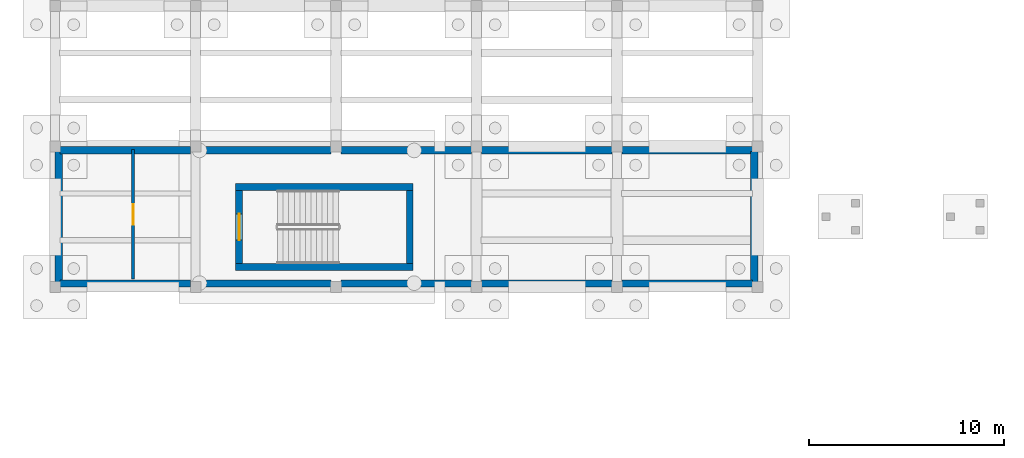
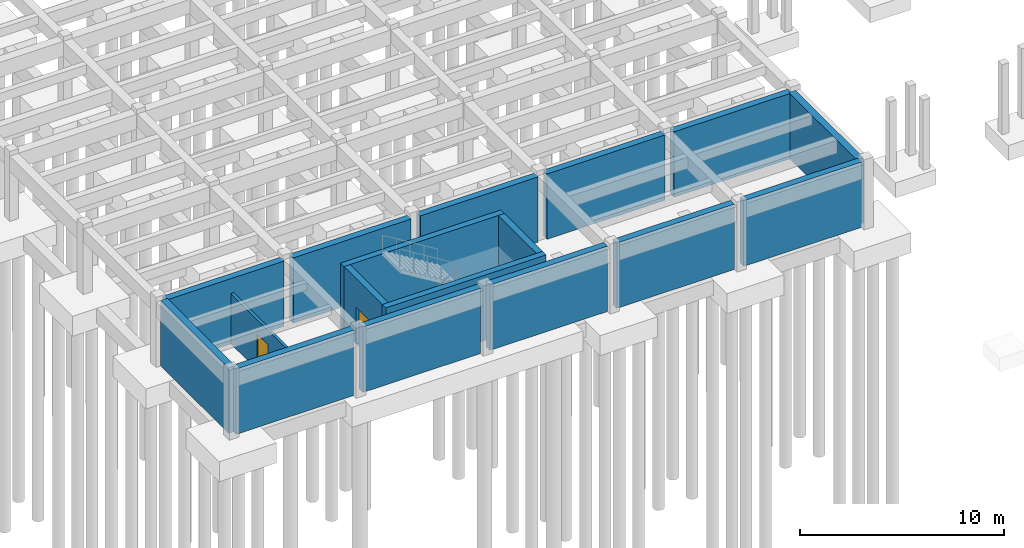
# One storey, part 18 of 31: 17 walls, 2 doors, 2 openings.
"""IFC4 building model written with IfcOpenShell, lengths in metres."""

import ifcopenshell
import ifcopenshell.guid

model = None  # the IFC model being written
_history = None  # IfcOwnerHistory: only IFC2X3 demands one
_inside = {}  # id of a spatial element -> (the spatial element, [elements in it])
_under = {}  # id of a project, library or spatial element -> (it, [spatial elements below it])
_declared = {}  # id of a project -> (the project, [libraries it declares])
_typed = {}  # id of a type object -> (the type object, [elements of that type])
_made_of = {}  # id of a material, layer set ... -> (it, [elements and type objects made of it])


def new_model(schema):
    """Start an empty IFC model of exactly this schema.

    Asked for "IFC4X3", IfcOpenShell would pick the latest addendum, in which some entities
    have other attributes; the version numbers below select the first issue.
    IFC2X3 requires an IfcOwnerHistory on every rooted entity: one is made here for all.
    """
    global model, _history
    if schema == "IFC4X3":
        model = ifcopenshell.file(schema_version=(4, 3, 0, 0))
    else:
        model = ifcopenshell.file(schema=schema)
    _inside.clear()
    _under.clear()
    _declared.clear()
    _typed.clear()
    _made_of.clear()
    _history = None
    if model.schema == "IFC2X3":
        org = make("IfcOrganization", Name="unknown")
        user = make(
            "IfcPersonAndOrganization",
            ThePerson=make("IfcPerson", FamilyName="unknown"),
            TheOrganization=org,
        )
        app = make(
            "IfcApplication",
            ApplicationDeveloper=org,
            Version="unknown",
            ApplicationFullName="unknown",
            ApplicationIdentifier="unknown",
        )
        _history = make(
            "IfcOwnerHistory",
            OwningUser=user,
            OwningApplication=app,
            ChangeAction="ADDED",
            CreationDate=0,
        )
    return model


def make(cls, **values):
    """One entity of the class cls with the attributes given. An attribute that is None is left unset."""
    return model.create_entity(
        cls, **{name: value for name, value in values.items() if value is not None}
    )


def rooted(cls, **values):
    """An entity with a GlobalId (a new one), such as an element, a storey or a relation."""
    return make(cls, GlobalId=ifcopenshell.guid.new(), OwnerHistory=_history, **values)


def si_unit(unit_type, name, prefix=None):
    """IfcSIUnit, for example si_unit("LENGTHUNIT", "METRE", prefix="MILLI")."""
    return make("IfcSIUnit", UnitType=unit_type, Prefix=prefix, Name=name)


def assignment(units):
    """IfcUnitAssignment: the units of a project."""
    return None if units is None else make("IfcUnitAssignment", Units=units)


def point(xyz):
    """IfcCartesianPoint."""
    return None if xyz is None else make("IfcCartesianPoint", Coordinates=xyz)


def direction(xyz):
    """IfcDirection."""
    return None if xyz is None else make("IfcDirection", DirectionRatios=xyz)


def frame(location, z_axis=None, x_axis=None):
    """IfcAxis2Placement3D, a coordinate frame: its origin and axes. An axis left out is left unset."""
    return make(
        "IfcAxis2Placement3D",
        Location=point(location),
        Axis=direction(z_axis),
        RefDirection=direction(x_axis),
    )


def frame_2d(location, x_axis=None):
    """IfcAxis2Placement2D, a coordinate frame in the plane: its origin and x axis."""
    return make(
        "IfcAxis2Placement2D", Location=point(location), RefDirection=direction(x_axis)
    )


def origin():
    """The frame at (0, 0, 0) with its axes left unset."""
    return frame((0.0, 0.0, 0.0))


def place(relative_to, where):
    """IfcLocalPlacement: puts the frame where relative to a parent placement (None: the world)."""
    return make(
        "IfcLocalPlacement", PlacementRelTo=relative_to, RelativePlacement=where
    )


def context(
    kind, dimensions, precision=None, world=None, true_north=None, identifier=None
):
    """IfcGeometricRepresentationContext, for example the 3D "Model" context."""
    return make(
        "IfcGeometricRepresentationContext",
        ContextIdentifier=identifier,
        ContextType=kind,
        CoordinateSpaceDimension=dimensions,
        Precision=precision,
        WorldCoordinateSystem=world,
        TrueNorth=true_north,
    )


def subcontext(parent, identifier, kind, view, scale=None):
    """IfcGeometricRepresentationSubContext, for example "Body" below "Model"."""
    return make(
        "IfcGeometricRepresentationSubContext",
        ContextIdentifier=identifier,
        ContextType=kind,
        ParentContext=parent,
        TargetScale=scale,
        TargetView=view,
    )


def project(units=None, contexts=None):
    """IfcProject with its units and contexts."""
    return rooted(
        "IfcProject",
        Name="project",
        RepresentationContexts=contexts,
        UnitsInContext=assignment(units),
    )


def spatial(cls, under=None, at=None, **own):
    """A site, building, storey or space (cls), placed at a placement, below another one or the project."""
    s = rooted(cls, ObjectPlacement=at, **own)
    if under is not None:
        _under.setdefault(under.id(), (under, []))[1].append(s)
    return s


def profile(cls, at=None, kind="AREA", **sizes):
    """A parametric profile (cls). Its sizes go by their IFC names, for example OverallWidth=200.0."""
    return make(cls, ProfileType=kind, Position=at, **sizes)


def rectangle(**sizes):
    """IfcRectangleProfileDef."""
    return profile("IfcRectangleProfileDef", **sizes)


def extrude(swept, where, along, depth):
    """IfcExtrudedAreaSolid: the profile swept, set in the frame where, extruded along a direction by depth."""
    return make(
        "IfcExtrudedAreaSolid",
        SweptArea=swept,
        Position=where,
        ExtrudedDirection=direction(along),
        Depth=depth,
    )


def shape(context_of_items, identifier, shape_type, items):
    """IfcShapeRepresentation: the items that make up one representation, for example the "Body"."""
    return make(
        "IfcShapeRepresentation",
        ContextOfItems=context_of_items,
        RepresentationIdentifier=identifier,
        RepresentationType=shape_type,
        Items=items,
    )


def material(Name=None, Category=None):
    """IfcMaterial."""
    return make("IfcMaterial", Name=Name, Category=Category)


def layer(
    of_material, thickness, ventilated=None, Name=None, Category=None, Priority=None
):
    """IfcMaterialLayer: one layer of a wall or slab, of a material (None: an air gap)."""
    return make(
        "IfcMaterialLayer",
        Material=of_material,
        LayerThickness=thickness,
        IsVentilated=ventilated,
        Name=Name,
        Category=Category,
        Priority=Priority,
    )


def layer_set(layers, Name=None):
    """IfcMaterialLayerSet."""
    return make("IfcMaterialLayerSet", MaterialLayers=layers, LayerSetName=Name)


def made_of(thing, what):
    """Note that an element or type object is made of a material, layer set ...; save() writes the relation."""
    if what is not None:
        _made_of.setdefault(what.id(), (what, []))[1].append(thing)
    return thing


def type_object(cls, material=None, **own):
    """A type object (cls), such as IfcWallType, which elements share."""
    return made_of(rooted(cls, **own), material)


def element(
    cls,
    number,
    at=None,
    inside=None,
    cuts=None,
    type_object=None,
    material=None,
    context=None,
    identifier="Body",
    shape_type=None,
    held_by="IfcProductDefinitionShape",
    body=None,
    shapes=None,
    **own,
):
    """One element of the class cls, such as IfcWall. Its Tag is "e" and its number.

    at: its placement. inside: the storey or other place that contains it. cuts: it is an
    opening in that element (IfcRelVoidsElement). A single representation is given by context,
    identifier, shape_type and body (its items); several are given by shapes. held_by: the class
    of the entity that holds the representations. save() writes the other relations.
    """
    e = rooted(cls, Tag="e%d" % number, ObjectPlacement=at, **own)
    if body is not None:
        shapes = [shape(context, identifier, shape_type, body)]
    if shapes is not None:
        e.Representation = make(held_by, Representations=shapes)
    if inside is not None:
        _inside.setdefault(inside.id(), (inside, []))[1].append(e)
    if cuts is not None:
        rooted(
            "IfcRelVoidsElement", RelatingBuildingElement=cuts, RelatedOpeningElement=e
        )
    if type_object is not None:
        _typed.setdefault(type_object.id(), (type_object, []))[1].append(e)
    return made_of(e, material)


def fill(opening, filler):
    """IfcRelFillsElement: the door or window that sits in an opening."""
    return rooted(
        "IfcRelFillsElement",
        RelatingOpeningElement=opening,
        RelatedBuildingElement=filler,
    )


def aggregate(whole, parts):
    """IfcRelAggregates: a whole, such as a stair, and the parts it consists of."""
    return rooted("IfcRelAggregates", RelatingObject=whole, RelatedObjects=parts)


def save(model, path):
    """Write the relations noted so far, then the file.

    IfcRelAggregates (storeys below a building ...), IfcRelContainedInSpatialStructure (elements
    in a storey), IfcRelDefinesByType, IfcRelAssociatesMaterial and IfcRelDeclares: one each for
    every whole, place, type object, material and project.
    """
    for whole, parts in _under.values():
        aggregate(whole, parts)
    for where, things in _inside.values():
        rooted(
            "IfcRelContainedInSpatialStructure",
            RelatedElements=things,
            RelatingStructure=where,
        )
    for kind, things in _typed.values():
        rooted("IfcRelDefinesByType", RelatedObjects=things, RelatingType=kind)
    for what, things in _made_of.values():
        rooted("IfcRelAssociatesMaterial", RelatedObjects=things, RelatingMaterial=what)
    for by, libraries in _declared.values():
        rooted("IfcRelDeclares", RelatingContext=by, RelatedDefinitions=libraries)
    model.write(path)


model = new_model("IFC4")

# Units and contexts
model_context = context("Model", 3, precision=1e-05, world=origin(), true_north=direction((0.0, 1.0)))
body_context = subcontext(model_context, "Body", "Model", "MODEL_VIEW")
ifc_project = project(units=[si_unit("LENGTHUNIT", "METRE"), si_unit("AREAUNIT", "SQUARE_METRE"), si_unit("VOLUMEUNIT", "CUBIC_METRE"), si_unit("PLANEANGLEUNIT", "RADIAN"), si_unit("MASSUNIT", "GRAM", prefix="KILO")], contexts=[model_context])

# Site, building, storey
site_placement = place(None, origin())
site = spatial("IfcSite", under=ifc_project, at=site_placement, CompositionType="ELEMENT")
building_placement = place(site_placement, origin())
building = spatial("IfcBuilding", under=site, at=building_placement, Name="Brisavento Harbour Community Centre", CompositionType="ELEMENT")
storey_placement = place(building_placement, frame((0.0, 0.0, -4.199951171875)))
storey = spatial("IfcBuildingStorey", under=building, at=storey_placement, Name="B1", CompositionType="ELEMENT", Elevation=-4.199951171875)

# Walls
ifc_material_1 = material(Name="Concrete C35/45", Category="concrete")
ifc_layer_1 = layer(ifc_material_1, 0.3798828125, Name="Concrete C35/45")
ifc_layer_set_1 = layer_set([ifc_layer_1], Name="Concrete C35/45")
wall_type_1 = type_object("IfcWallType", Name="WL-B1-380", PredefinedType="SOLIDWALL", material=ifc_layer_set_1)
for number, where, z_axis, x_axis, name in (
    (1, (35.739990234375, 72.179931640625, 0.0), (0.0, 0.0, 1.0), (-1.0, 0.0, 0.0), "B1 perimeter retaining wall 0054"),
    (2, (28.5400390625, 72.179931640625, 0.0), (0.0, 0.0, 1.0), (-1.0, 0.0, 0.0), "B1 perimeter retaining wall 0055"),
):
    element("IfcWall", number, at=place(storey_placement, frame(where, z_axis=z_axis, x_axis=x_axis)), inside=storey, type_object=wall_type_1, Name=name, PredefinedType="SOLIDWALL", context=body_context, shape_type="SweptSolid", body=[
        extrude(rectangle(XDim=6.679931640625, YDim=0.3798828125, at=frame_2d((3.33984375, 0.0))), origin(), (0.0, 0.0, 1.0), 3.919921875),
    ])
wall_1_placement = place(storey_placement, frame((21.340087890625, 72.179931640625, 0.0), z_axis=(0.0, 0.0, 1.0), x_axis=(-1.0, 0.0, 0.0)))
element("IfcWall", 3, at=wall_1_placement, inside=storey, type_object=wall_type_1, Name="B1 perimeter retaining wall 0056", PredefinedType="SOLIDWALL", context=body_context, shape_type="SweptSolid", body=[
    extrude(rectangle(XDim=6.68017578125, YDim=0.3798828125, at=frame_2d((3.340087890625, 0.0))), origin(), (0.0, 0.0, 1.0), 3.919921875),
])
for number, where, z_axis, x_axis, name in (
    (4, (14.139892578125, 72.179931640625, 0.0), (0.0, 0.0, 1.0), (-1.0, 0.0, 0.0), "B1 perimeter retaining wall 0057"),
    (5, (6.93994140625, 72.179931640625, 0.0), (0.0, 0.0, 1.0), (-1.0, 0.0, 0.0), "B1 perimeter retaining wall 0058"),
    (6, (35.820068359375, 78.93994140625, 0.0), (0.0, 0.0, 1.0), (0.0, -1.0, 0.0), "B1 perimeter retaining wall 0059"),
    (7, (0.260009765625, 79.02001953125, 0.0), (0.0, 0.0, 1.0), (1.0, 0.0, 0.0), "B1 perimeter retaining wall 0060"),
    (8, (7.4599609375, 79.02001953125, 0.0), (0.0, 0.0, 1.0), (1.0, 0.0, 0.0), "B1 perimeter retaining wall 0061"),
):
    element("IfcWall", number, at=place(storey_placement, frame(where, z_axis=z_axis, x_axis=x_axis)), inside=storey, type_object=wall_type_1, Name=name, PredefinedType="SOLIDWALL", context=body_context, shape_type="SweptSolid", body=[
        extrude(rectangle(XDim=6.679931640625, YDim=0.3798828125, at=frame_2d((3.33984375, 0.0))), origin(), (0.0, 0.0, 1.0), 3.919921875),
    ])
wall_2_placement = place(storey_placement, frame((14.659912109375, 79.02001953125, 0.0), z_axis=(0.0, 0.0, 1.0), x_axis=(1.0, 0.0, 0.0)))
element("IfcWall", 9, at=wall_2_placement, inside=storey, type_object=wall_type_1, Name="B1 perimeter retaining wall 0062", PredefinedType="SOLIDWALL", context=body_context, shape_type="SweptSolid", body=[
    extrude(rectangle(XDim=6.68017578125, YDim=0.3798828125, at=frame_2d((3.340087890625, 0.0))), origin(), (0.0, 0.0, 1.0), 3.919921875),
])
for number, where, z_axis, x_axis, name in (
    (10, (21.860107421875, 79.02001953125, 0.0), (0.0, 0.0, 1.0), (1.0, 0.0, 0.0), "B1 perimeter retaining wall 0063"),
    (11, (29.06005859375, 79.02001953125, 0.0), (0.0, 0.0, 1.0), (1.0, 0.0, 0.0), "B1 perimeter retaining wall 0064"),
    (12, (0.179931640625, 72.260009765625, 0.0), (0.0, 0.0, 1.0), (0.0, 1.0, 0.0), "B1 perimeter retaining wall 0065"),
):
    element("IfcWall", number, at=place(storey_placement, frame(where, z_axis=z_axis, x_axis=x_axis)), inside=storey, type_object=wall_type_1, Name=name, PredefinedType="SOLIDWALL", context=body_context, shape_type="SweptSolid", body=[
        extrude(rectangle(XDim=6.679931640625, YDim=0.3798828125, at=frame_2d((3.33984375, 0.0))), origin(), (0.0, 0.0, 1.0), 3.919921875),
    ])
ifc_material_2 = material(Name="Concrete C40/50", Category="concrete")
ifc_layer_2 = layer(ifc_material_2, 0.35009765625, Name="Concrete C40/50")
ifc_layer_set_2 = layer_set([ifc_layer_2], Name="Concrete C40/50")
wall_type_2 = type_object("IfcWallType", Name="WL-CORE-350", PredefinedType="SHEAR", material=ifc_layer_set_2)
for number, where, z_axis, x_axis, name in (
    (13, (9.25, 73.02490234375, 0.0), (0.0, 0.0, 1.0), (1.0, 0.0, 0.0), "B1 core C5 shear wall L"),
    (14, (18.35009765625, 77.125, 0.0), (0.0, 0.0, 1.0), (-1.0, 0.0, 0.0), "B1 core C5 shear wall R"),
):
    element("IfcWall", number, at=place(storey_placement, frame(where, z_axis=z_axis, x_axis=x_axis)), inside=storey, type_object=wall_type_2, Name=name, PredefinedType="SHEAR", context=body_context, shape_type="SweptSolid", body=[
        extrude(rectangle(XDim=9.10009765625, YDim=0.35009765625, at=frame_2d((4.550048828125, 0.0))), origin(), (0.0, 0.0, 1.0), 3.919921875),
    ])
wall_3_placement = place(storey_placement, frame((18.175048828125, 73.199951171875, 0.0), z_axis=(0.0, 0.0, 1.0), x_axis=(0.0, 1.0, 0.0)))
element("IfcWall", 15, at=wall_3_placement, inside=storey, type_object=wall_type_2, Name="B1 core C5 shear wall F", PredefinedType="SHEAR", context=body_context, shape_type="SweptSolid", body=[
    extrude(rectangle(XDim=3.75, YDim=0.35009765625, at=frame_2d((1.875, 0.0))), origin(), (0.0, 0.0, 1.0), 3.919921875),
])

# Wall, opening, door
wall_4_placement = place(storey_placement, frame((9.425048828125, 76.949951171875, 0.0), z_axis=(0.0, 0.0, 1.0), x_axis=(0.0, -1.0, 0.0)))
wall_4 = element("IfcWall", 16, at=wall_4_placement, inside=storey, type_object=wall_type_2, Name="B1 core C5 shear wall N", PredefinedType="SHEAR", context=body_context, shape_type="SweptSolid", body=[
    extrude(rectangle(XDim=3.75, YDim=0.35009765625, at=frame_2d((1.875, 0.0))), origin(), (0.0, 0.0, 1.0), 3.919921875),
])
opening_1_placement = place(wall_4_placement, frame((1.199951171875, 0.0, 0.0)))
opening_1 = element("IfcOpeningElement", 17, at=opening_1_placement, cuts=wall_4, Name="Opening SD-02", PredefinedType="OPENING", context=body_context, shape_type="SweptSolid", body=[
    extrude(rectangle(XDim=1.35009765625, YDim=2.199951171875, at=frame_2d((0.675048828125, 1.10009765625))), frame((0.0, 0.18505859375, 0.0), z_axis=(0.0, -1.0, 0.0), x_axis=(1.0, 0.0, 0.0)), (0.0, 0.0, 1.0), 0.3701171875),
])
ifc_material_3 = material(Name="Fire-rated steel door assembly", Category="steel")
door_type_1 = type_object("IfcDoorType", Name="DR-STAIR-135x220", OperationType="NOTDEFINED", PredefinedType="DOOR", material=ifc_material_3)
door_1_placement = place(opening_1_placement, origin())
door_1 = element("IfcDoor", 18, at=door_1_placement, inside=storey, type_object=door_type_1, Name="B1 exit stair ST-07 fire door", OperationType="SINGLE_SWING_LEFT", OverallHeight=2.199951171875, OverallWidth=1.35009765625, PredefinedType="DOOR", context=body_context, shape_type="SweptSolid", body=[
    extrude(rectangle(XDim=1.35009765625, YDim=2.199951171875, at=frame_2d((0.675048828125, 1.10009765625))), frame((0.0, 0.02490234375, 0.0), z_axis=(0.0, -1.0, 0.0), x_axis=(1.0, 0.0, 0.0)), (0.0, 0.0, 1.0), 0.050048828125),
])
fill(opening_1, door_1)

ifc_material_4 = material(Name="Acoustic gypsum stud partition", Category="other")
ifc_layer_3 = layer(ifc_material_4, 0.159912109375, Name="Acoustic gypsum stud partition")
ifc_layer_set_3 = layer_set([ifc_layer_3], Name="Acoustic gypsum stud partition")
wall_type_3 = type_object("IfcWallType", Name="WL-PRT-160", PredefinedType="PARTITIONING", material=ifc_layer_set_3)
wall_5_placement = place(storey_placement, frame((4.0, 72.39990234375, 0.0), z_axis=(0.0, 0.0, 1.0), x_axis=(0.0, 1.0, 0.0)))
wall_5 = element("IfcWall", 19, at=wall_5_placement, inside=storey, type_object=wall_type_3, Name="B1 Kitchen Grease Interceptor and Cold Plant partition 0038", PredefinedType="PARTITIONING", context=body_context, shape_type="SweptSolid", body=[
    extrude(rectangle(XDim=6.66015625, YDim=0.159912109375, at=frame_2d((3.330078125, 0.0))), origin(), (0.0, 0.0, 1.0), 3.02001953125),
])
opening_2_placement = place(wall_5_placement, frame((2.804931640625, 0.0, 0.0)))
opening_2 = element("IfcOpeningElement", 20, at=opening_2_placement, cuts=wall_5, Name="Opening FD-02", PredefinedType="OPENING", context=body_context, shape_type="SweptSolid", body=[
    extrude(rectangle(XDim=1.050048828125, YDim=2.14990234375, at=frame_2d((0.52490234375, 1.074951171875))), frame((0.0, 0.08984375, 0.0), z_axis=(0.0, -1.0, 0.0), x_axis=(1.0, 0.0, 0.0)), (0.0, 0.0, 1.0), 0.179931640625),
])
ifc_material_5 = material(Name="Fire-rated hardwood door", Category="wood")
door_type_2 = type_object("IfcDoorType", Name="DR-FIRE-105x215", OperationType="NOTDEFINED", PredefinedType="DOOR", material=ifc_material_5)
door_2_placement = place(opening_2_placement, origin())
door_2 = element("IfcDoor", 21, at=door_2_placement, inside=storey, type_object=door_type_2, Name="B1 Kitchen Grease Interceptor and Cold Plant door 0014", OperationType="SINGLE_SWING_LEFT", OverallHeight=2.14990234375, OverallWidth=1.050048828125, PredefinedType="DOOR", context=body_context, shape_type="SweptSolid", body=[
    extrude(rectangle(XDim=1.050048828125, YDim=2.14990234375, at=frame_2d((0.52490234375, 1.074951171875))), frame((0.0, 0.02490234375, 0.0), z_axis=(0.0, -1.0, 0.0), x_axis=(1.0, 0.0, 0.0)), (0.0, 0.0, 1.0), 0.050048828125),
])
fill(opening_2, door_2)

save(model, "model.ifc")
